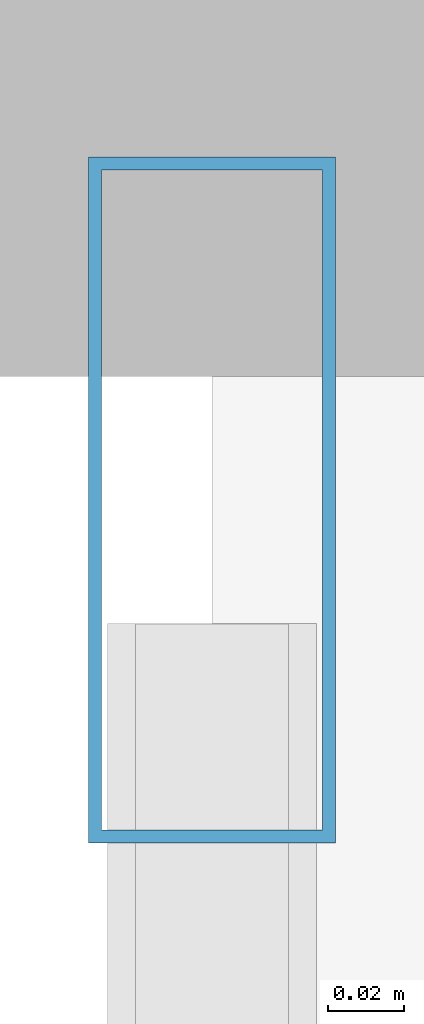
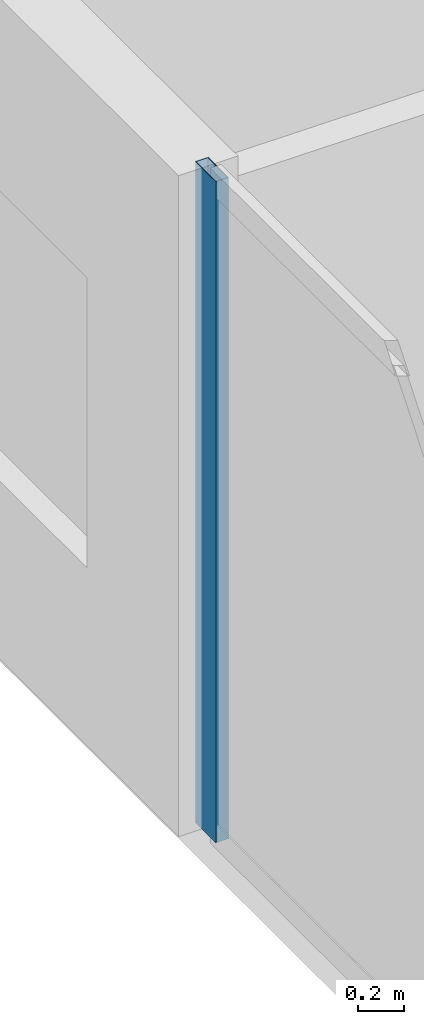
# One storey, part 17 of 33: 1 member, 1 element without a shape of its own.
"""IFC4 building model written with IfcOpenShell, lengths in metres."""

from ifc_helpers import new_model, si_unit, direction, frame, origin, origin_2d, place, context, subcontext, project, spatial, hollow_rectangle, extrude, material, layer, layer_set, material_profile, profile_set, type_object, element, aggregate, save


model = new_model("IFC4")

# Units and contexts
model_context = context("Model", 3, precision=1e-05, world=origin(), true_north=direction((0.0, 1.0)))
body_context = subcontext(model_context, "Body", "Model", "MODEL_VIEW")
ifc_project = project(units=[si_unit("LENGTHUNIT", "METRE"), si_unit("AREAUNIT", "SQUARE_METRE"), si_unit("VOLUMEUNIT", "CUBIC_METRE"), si_unit("PLANEANGLEUNIT", "RADIAN"), si_unit("MASSUNIT", "GRAM", prefix="KILO")], contexts=[model_context])

# Site, building, storey
site_placement = place(None, origin())
site = spatial("IfcSite", under=ifc_project, at=site_placement, CompositionType="ELEMENT")
building_placement = place(site_placement, origin())
building = spatial("IfcBuilding", under=site, at=building_placement, Name="Zuhayl Quay Hotel", CompositionType="ELEMENT")
storey_placement = place(building_placement, frame((0.0, 0.0, 207.39990234375)))
storey = spatial("IfcBuildingStorey", under=building, at=storey_placement, Name="L52", CompositionType="ELEMENT", Elevation=207.39990234375)

# Curtain wall, member
ifc_material_1 = material(Name="Anodised Aluminium 6063-T6", Category="aluminium")
ifc_layer = layer(ifc_material_1, 0.175048828125, Name="Anodised Aluminium 6063-T6", Category="aluminium")
ifc_layer_set = layer_set([ifc_layer], Name="Anodised Aluminium 6063-T6")
curtain_wall_type = type_object("IfcCurtainWallType", Name="CW_SYS_Z3", PredefinedType="USERDEFINED", material=ifc_layer_set)
curtain_wall_placement = place(storey_placement, origin())
curtain_wall = element("IfcCurtainWall", 1, at=curtain_wall_placement, inside=storey, type_object=curtain_wall_type, Name="L52 Curtain Wall ENV_L52_E05_CW1", ObjectType="UNITISED CURTAIN WALL", PredefinedType="USERDEFINED")
ifc_material_2 = material(Name="Black-anodised aluminium 6063-T6", Category="aluminium")
ifc_material_profile = material_profile(ifc_material_2, hollow_rectangle(XDim=0.06494140625, YDim=0.179931640625, WallThickness=0.00341796875, at=origin_2d()), Name="ALU180X65")
ifc_profile_set = profile_set([ifc_material_profile], Name="Black-anodised aluminium 6063-T6")
member_type = type_object("IfcMemberType", Name="MB_CW_MUL_180", PredefinedType="MULLION", material=ifc_profile_set)
member_placement = place(storey_placement, frame((-22.10009765625, 24.517578125, 0.0), z_axis=(0.0, 0.0, 1.0), x_axis=(-1.0, 0.0, 0.0)))
member = element("IfcMember", 2, at=member_placement, type_object=member_type, Name="CW-Z3 mullion 2", PredefinedType="MULLION", context=body_context, shape_type="SweptSolid", body=[
    extrude(hollow_rectangle(XDim=0.06494140625, YDim=0.179931640625, WallThickness=0.00341796875, at=origin_2d()), origin(), (0.0, 0.0, 1.0), 3.530029296875),
])
aggregate(curtain_wall, [member])

save(model, "model.ifc")
